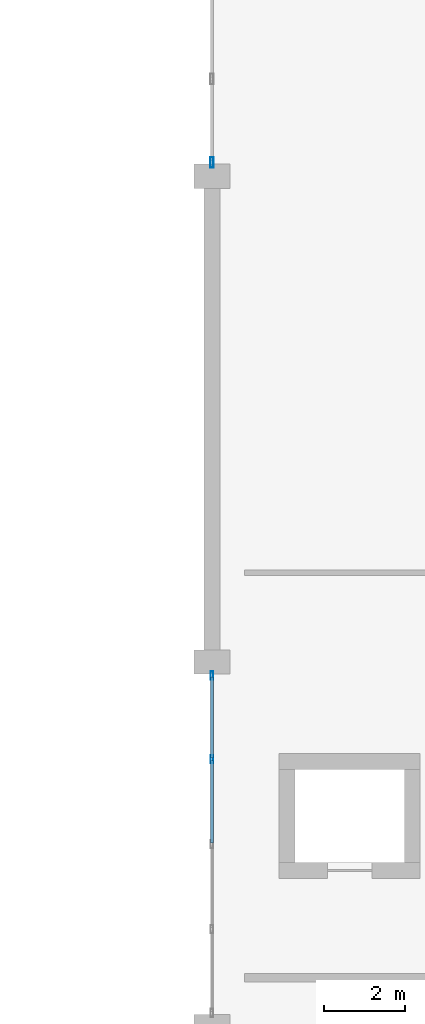
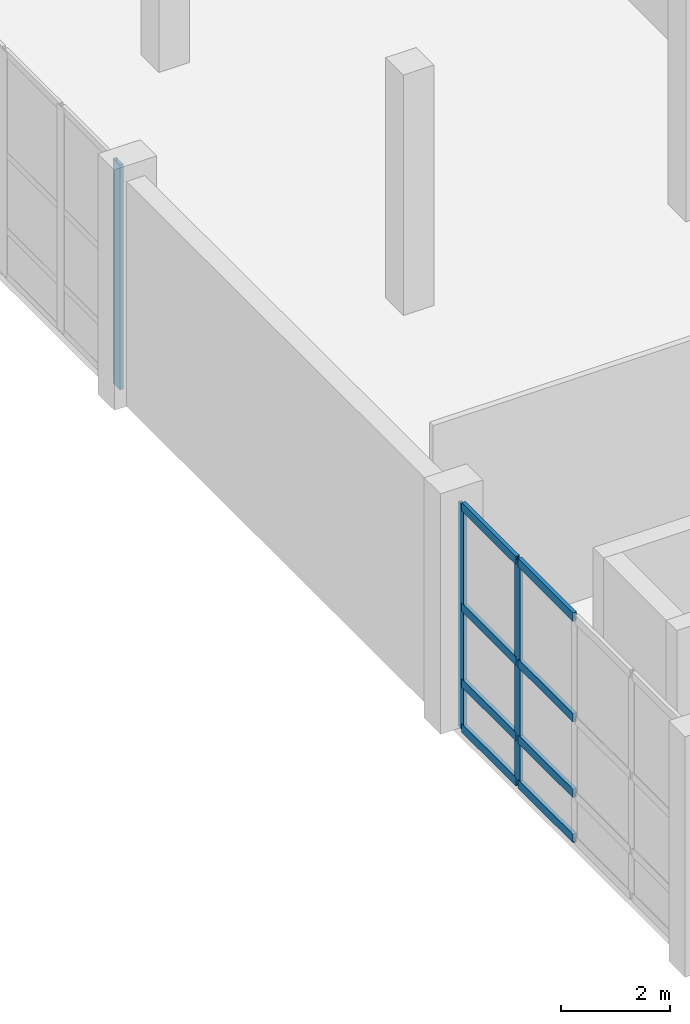
# One storey, part 7 of 41: 11 members, 2 elements without a shape of their own.
"""IFC4 building model written with IfcOpenShell, lengths in metres."""

from ifc_helpers import new_model, si_unit, direction, frame, origin, origin_2d, place, context, subcontext, project, spatial, hollow_rectangle, extrude, material, layer, layer_set, material_profile, profile_set, type_object, element, aggregate, save


model = new_model("IFC4")

# Units and contexts
model_context = context("Model", 3, precision=1e-05, world=origin(), true_north=direction((0.0, 1.0)))
body_context = subcontext(model_context, "Body", "Model", "MODEL_VIEW")
ifc_project = project(units=[si_unit("LENGTHUNIT", "METRE"), si_unit("AREAUNIT", "SQUARE_METRE"), si_unit("VOLUMEUNIT", "CUBIC_METRE"), si_unit("PLANEANGLEUNIT", "RADIAN"), si_unit("MASSUNIT", "GRAM", prefix="KILO")], contexts=[model_context])

# Site, building, storey
site_placement = place(None, origin())
site = spatial("IfcSite", under=ifc_project, at=site_placement, CompositionType="ELEMENT")
building_placement = place(site_placement, origin())
building = spatial("IfcBuilding", under=site, at=building_placement, Name="Vaelkrest Opera House", CompositionType="ELEMENT")
storey_placement = place(building_placement, frame((0.0, 0.0, 24.60009765625)))
storey = spatial("IfcBuildingStorey", under=building, at=storey_placement, Name="L05", CompositionType="ELEMENT", Elevation=24.60009765625)

# Curtain wall, members
ifc_material = material(Name="Dark bronze anodized aluminium", Category="aluminium")
ifc_layer_1 = layer(ifc_material, 0.22998046875)
ifc_layer_set_1 = layer_set([ifc_layer_1], Name="Dark bronze anodized aluminium")
curtain_wall_type_1 = type_object("IfcCurtainWallType", Name="CW06", PredefinedType="NOTDEFINED", material=ifc_layer_set_1)
curtain_wall_1_placement = place(storey_placement, origin())
curtain_wall_1 = element("IfcCurtainWall", 1, at=curtain_wall_1_placement, inside=storey, type_object=curtain_wall_type_1, Name="Curtain wall CW-L05-074", PredefinedType="NOTDEFINED")
ifc_material_profile_1 = material_profile(ifc_material, hollow_rectangle(XDim=0.070068359375, YDim=0.199951171875, WallThickness=0.004150390625, at=origin_2d()), Name="CWM70X200")
ifc_profile_set_1 = profile_set([ifc_material_profile_1], Name="Dark bronze anodized aluminium")
member_type_1 = type_object("IfcMemberType", Name="CWM02", PredefinedType="MULLION", material=ifc_profile_set_1)
member_1_placement = place(storey_placement, frame((-30.0, -22.198974609375, 0.0), z_axis=(0.0, 0.0, 1.0), x_axis=(-1.0, 0.0, 0.0)))
member_1 = element("IfcMember", 2, at=member_1_placement, type_object=member_type_1, Name="CW06 mullion 4", PredefinedType="MULLION", context=body_context, shape_type="SweptSolid", body=[
    extrude(hollow_rectangle(XDim=0.070068359375, YDim=0.199951171875, WallThickness=0.004150390625, at=origin_2d()), origin(), (0.0, 0.0, 1.0), 5.0498046875),
])
member_2_placement = place(storey_placement, frame((-30.0, -20.133056640625, 0.0), z_axis=(0.0, 0.0, 1.0), x_axis=(-1.0, 0.0, 0.0)))
member_2 = element("IfcMember", 3, at=member_2_placement, type_object=member_type_1, Name="CW06 mullion 5", PredefinedType="MULLION", context=body_context, shape_type="SweptSolid", body=[
    extrude(hollow_rectangle(XDim=0.070068359375, YDim=0.199951171875, WallThickness=0.004150390625, at=origin_2d()), origin(), (0.0, 0.0, 1.0), 5.0498046875),
])

# Curtain wall, member
ifc_layer_2 = layer(ifc_material, 0.25)
ifc_layer_set_2 = layer_set([ifc_layer_2], Name="Dark bronze anodized aluminium")
curtain_wall_type_2 = type_object("IfcCurtainWallType", Name="CW08", PredefinedType="NOTDEFINED", material=ifc_layer_set_2)
curtain_wall_2_placement = place(storey_placement, origin())
curtain_wall_2 = element("IfcCurtainWall", 4, at=curtain_wall_2_placement, inside=storey, type_object=curtain_wall_type_2, Name="Curtain wall CW-L05-075", PredefinedType="NOTDEFINED")
ifc_material_profile_2 = material_profile(ifc_material, hollow_rectangle(XDim=0.080078125, YDim=0.260009765625, WallThickness=0.0048828125, at=origin_2d()), Name="CWM80X260")
ifc_profile_set_2 = profile_set([ifc_material_profile_2], Name="Dark bronze anodized aluminium")
member_type_2 = type_object("IfcMemberType", Name="CWM04", PredefinedType="MULLION", material=ifc_profile_set_2)
member_3_placement = place(storey_placement, frame((-30.0, -7.4619140625, 0.0), z_axis=(0.0, 0.0, 1.0), x_axis=(-1.0, 0.0, 0.0)))
member_3 = element("IfcMember", 5, at=member_3_placement, type_object=member_type_2, Name="CW08 mullion 1", PredefinedType="MULLION", context=body_context, shape_type="SweptSolid", body=[
    extrude(hollow_rectangle(XDim=0.080078125, YDim=0.260009765625, WallThickness=0.0048828125, at=origin_2d()), origin(), (0.0, 0.0, 1.0), 5.0498046875),
])
aggregate(curtain_wall_2, [member_3])

# Member
ifc_material_profile_3 = material_profile(ifc_material, hollow_rectangle(XDim=0.080078125, YDim=0.18994140625, WallThickness=0.0048828125, at=origin_2d()), Name="CWT80X190")
ifc_profile_set_3 = profile_set([ifc_material_profile_3], Name="Dark bronze anodized aluminium")
member_type_3 = type_object("IfcMemberType", Name="CWT04", PredefinedType="USERDEFINED", material=ifc_profile_set_3)
member_4_placement = place(storey_placement, frame((-30.0, -24.264892578125, 0.039794921875), z_axis=(0.0, 1.0, 0.0), x_axis=(-1.0, 0.0, 0.0)))
member_4 = element("IfcMember", 6, at=member_4_placement, type_object=member_type_3, Name="CW06 transom 3.1", ObjectType="TRANSOM", PredefinedType="USERDEFINED", context=body_context, shape_type="SweptSolid", body=[
    extrude(hollow_rectangle(XDim=0.080078125, YDim=0.18994140625, WallThickness=0.0048828125, at=origin_2d()), origin(), (0.0, 0.0, 1.0), 2.031005859375),
])

member_5_placement = place(storey_placement, frame((-30.0, -24.264892578125, 1.0498046875), z_axis=(0.0, 1.0, 0.0), x_axis=(-1.0, 0.0, 0.0)))
member_5 = element("IfcMember", 7, at=member_5_placement, type_object=member_type_3, Name="CW06 transom 3.2", ObjectType="TRANSOM", PredefinedType="USERDEFINED", context=body_context, shape_type="SweptSolid", body=[
    extrude(hollow_rectangle(XDim=0.080078125, YDim=0.18994140625, WallThickness=0.0048828125, at=origin_2d()), origin(), (0.0, 0.0, 1.0), 2.031005859375),
])

member_6_placement = place(storey_placement, frame((-30.0, -24.264892578125, 2.75), z_axis=(0.0, 1.0, 0.0), x_axis=(-1.0, 0.0, 0.0)))
member_6 = element("IfcMember", 8, at=member_6_placement, type_object=member_type_3, Name="CW06 transom 3.3", ObjectType="TRANSOM", PredefinedType="USERDEFINED", context=body_context, shape_type="SweptSolid", body=[
    extrude(hollow_rectangle(XDim=0.080078125, YDim=0.18994140625, WallThickness=0.0048828125, at=origin_2d()), origin(), (0.0, 0.0, 1.0), 2.031005859375),
])

member_7_placement = place(storey_placement, frame((-30.0, -24.264892578125, 5.010009765625), z_axis=(0.0, 1.0, 0.0), x_axis=(-1.0, 0.0, 0.0)))
member_7 = element("IfcMember", 9, at=member_7_placement, type_object=member_type_3, Name="CW06 transom 3.4", ObjectType="TRANSOM", PredefinedType="USERDEFINED", context=body_context, shape_type="SweptSolid", body=[
    extrude(hollow_rectangle(XDim=0.080078125, YDim=0.18994140625, WallThickness=0.0048828125, at=origin_2d()), origin(), (0.0, 0.0, 1.0), 2.031005859375),
])

member_8_placement = place(storey_placement, frame((-30.0, -22.1640625, 0.039794921875), z_axis=(0.0, 1.0, 0.0), x_axis=(-1.0, 0.0, 0.0)))
member_8 = element("IfcMember", 10, at=member_8_placement, type_object=member_type_3, Name="CW06 transom 4.1", ObjectType="TRANSOM", PredefinedType="USERDEFINED", context=body_context, shape_type="SweptSolid", body=[
    extrude(hollow_rectangle(XDim=0.080078125, YDim=0.18994140625, WallThickness=0.0048828125, at=origin_2d()), origin(), (0.0, 0.0, 1.0), 1.99609375),
])

member_9_placement = place(storey_placement, frame((-30.0, -22.1640625, 1.0498046875), z_axis=(0.0, 1.0, 0.0), x_axis=(-1.0, 0.0, 0.0)))
member_9 = element("IfcMember", 11, at=member_9_placement, type_object=member_type_3, Name="CW06 transom 4.2", ObjectType="TRANSOM", PredefinedType="USERDEFINED", context=body_context, shape_type="SweptSolid", body=[
    extrude(hollow_rectangle(XDim=0.080078125, YDim=0.18994140625, WallThickness=0.0048828125, at=origin_2d()), origin(), (0.0, 0.0, 1.0), 1.99609375),
])

member_10_placement = place(storey_placement, frame((-30.0, -22.1640625, 2.75), z_axis=(0.0, 1.0, 0.0), x_axis=(-1.0, 0.0, 0.0)))
member_10 = element("IfcMember", 12, at=member_10_placement, type_object=member_type_3, Name="CW06 transom 4.3", ObjectType="TRANSOM", PredefinedType="USERDEFINED", context=body_context, shape_type="SweptSolid", body=[
    extrude(hollow_rectangle(XDim=0.080078125, YDim=0.18994140625, WallThickness=0.0048828125, at=origin_2d()), origin(), (0.0, 0.0, 1.0), 1.99609375),
])

member_11_placement = place(storey_placement, frame((-30.0, -22.1640625, 5.010009765625), z_axis=(0.0, 1.0, 0.0), x_axis=(-1.0, 0.0, 0.0)))
member_11 = element("IfcMember", 13, at=member_11_placement, type_object=member_type_3, Name="CW06 transom 4.4", ObjectType="TRANSOM", PredefinedType="USERDEFINED", context=body_context, shape_type="SweptSolid", body=[
    extrude(hollow_rectangle(XDim=0.080078125, YDim=0.18994140625, WallThickness=0.0048828125, at=origin_2d()), origin(), (0.0, 0.0, 1.0), 1.99609375),
])

aggregate(curtain_wall_1, [member_1, member_2, member_4, member_5, member_6, member_7, member_8, member_9, member_10, member_11])

save(model, "model.ifc")
